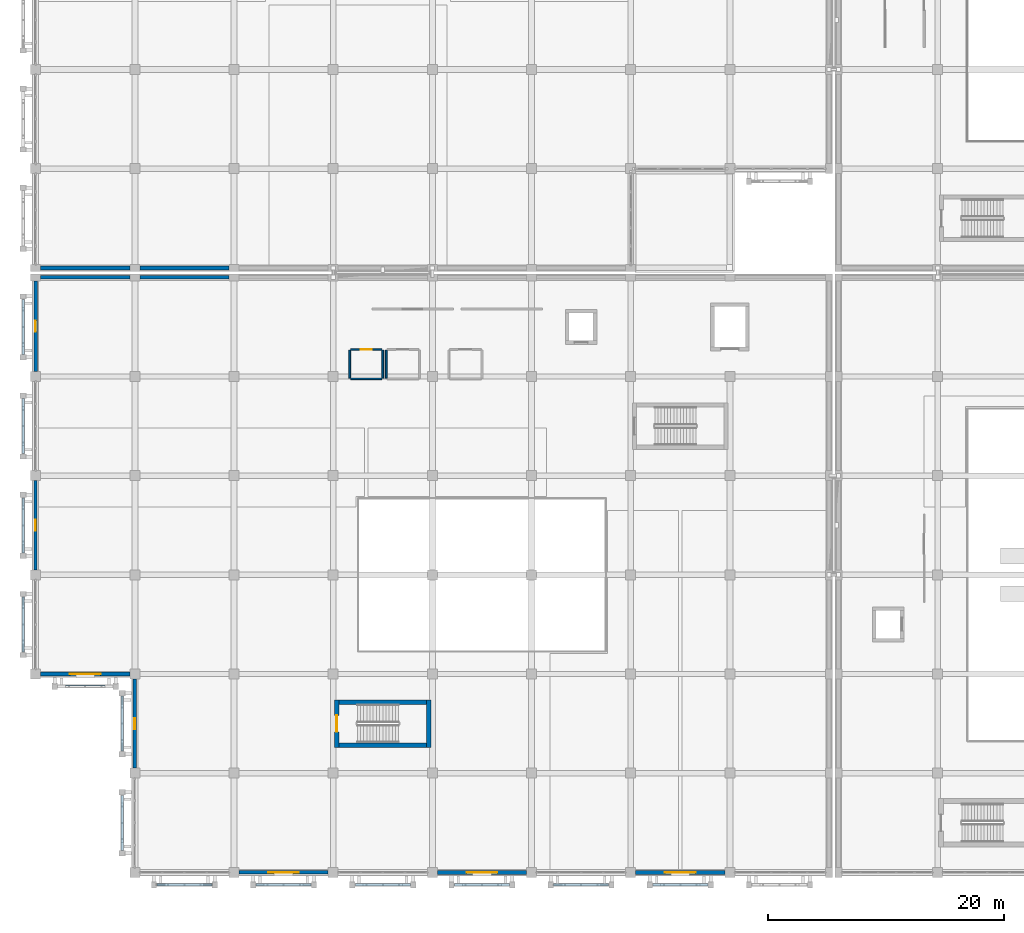
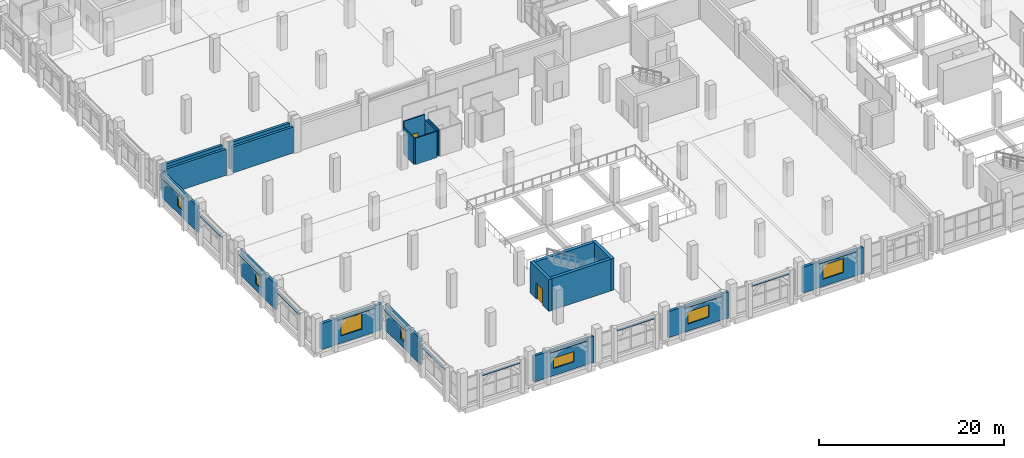
# One storey, part 112 of 137: 33 walls, 7 windows, 2 doors, 9 openings.
"""IFC4 building model written with IfcOpenShell, lengths in metres."""

from ifc_helpers import new_model, si_unit, direction, frame, frame_2d, origin, place, context, subcontext, project, spatial, rectangle, extrude, material, layer, layer_set, type_object, element, fill, save


model = new_model("IFC4")

# Units and contexts
model_context = context("Model", 3, precision=1e-05, world=origin(), true_north=direction((0.0, 1.0)))
body_context = subcontext(model_context, "Body", "Model", "MODEL_VIEW")
ifc_project = project(units=[si_unit("LENGTHUNIT", "METRE"), si_unit("AREAUNIT", "SQUARE_METRE"), si_unit("VOLUMEUNIT", "CUBIC_METRE"), si_unit("PLANEANGLEUNIT", "RADIAN"), si_unit("MASSUNIT", "GRAM", prefix="KILO")], contexts=[model_context])

# Site, building, storey
site_placement = place(None, origin())
site = spatial("IfcSite", under=ifc_project, at=site_placement, CompositionType="ELEMENT")
building_placement = place(site_placement, origin())
building = spatial("IfcBuilding", under=site, at=building_placement, Name="Xazarin Passage Department Store", CompositionType="ELEMENT")
storey_placement = place(building_placement, frame((0.0, 0.0, 5.39990234375)))
storey = spatial("IfcBuildingStorey", under=building, at=storey_placement, Name="L01", CompositionType="ELEMENT", Elevation=5.39990234375)

# Wall, opening, window
ifc_material_1 = material(Name="Precast concrete C40/50", Category="concrete")
ifc_layer_1 = layer(ifc_material_1, 0.260009765625)
ifc_layer_set_1 = layer_set([ifc_layer_1], Name="Precast concrete C40/50")
wall_type_1 = type_object("IfcWallType", Name="ARC-W-EXT260", PredefinedType="SOLIDWALL", material=ifc_layer_set_1)
wall_1_placement = place(storey_placement, frame((0.0, 25.625, 0.0), z_axis=(0.0, 0.0, 1.0), x_axis=(0.0, 1.0, 0.0)))
wall_1 = element("IfcWall", 1, at=wall_1_placement, inside=storey, type_object=wall_type_1, Name="L01 V3 Exterior Wall 217", PredefinedType="SOLIDWALL", context=body_context, shape_type="SweptSolid", body=[
    extrude(rectangle(XDim=7.550048828125, YDim=0.260009765625, at=frame_2d((3.77490234375, 0.0))), origin(), (0.0, 0.0, 1.0), 3.43017578125),
])
opening_1_placement = place(wall_1_placement, frame((3.300048828125, 0.0, 0.949951171875)))
opening_1 = element("IfcOpeningElement", 2, at=opening_1_placement, cuts=wall_1, Name="Opening W01", PredefinedType="OPENING", context=body_context, shape_type="SweptSolid", body=[
    extrude(rectangle(XDim=0.949951171875, YDim=1.35009765625, at=frame_2d((0.47509765625, 0.675048828125))), frame((0.0, 0.139892578125, 0.0), z_axis=(0.0, -1.0, 0.0), x_axis=(1.0, 0.0, 0.0)), (0.0, 0.0, 1.0), 0.280029296875),
])
ifc_material_2 = material(Name="Low-E laminated safety glass", Category="glass")
window_type_1 = type_object("IfcWindowType", Name="ARC-WIN-W01", PartitioningType="SINGLE_PANEL", PredefinedType="WINDOW", material=ifc_material_2)
window_1_placement = place(opening_1_placement, origin())
window_1 = element("IfcWindow", 3, at=window_1_placement, inside=storey, type_object=window_type_1, Name="L01 V3 Facade Window 0049", OverallHeight=1.35009765625, OverallWidth=0.949951171875, PartitioningType="SINGLE_PANEL", PredefinedType="WINDOW", context=body_context, shape_type="SweptSolid", body=[
    extrude(rectangle(XDim=0.949951171875, YDim=1.35009765625, at=frame_2d((0.47509765625, 0.675048828125))), frame((0.0, 0.030029296875, 0.0), z_axis=(0.0, -1.0, 0.0), x_axis=(1.0, 0.0, 0.0)), (0.0, 0.0, 1.0), 0.06005859375),
])
fill(opening_1, window_1)

ifc_layer_2 = layer(ifc_material_1, 0.280029296875)
ifc_layer_set_2 = layer_set([ifc_layer_2], Name="Precast concrete C40/50")
wall_type_2 = type_object("IfcWallType", Name="ARC-W-EXT280", PredefinedType="SOLIDWALL", material=ifc_layer_set_2)
wall_2_placement = place(storey_placement, frame((0.0, 42.425048828125, 0.0), z_axis=(0.0, 0.0, 1.0), x_axis=(0.0, 1.0, 0.0)))
wall_2 = element("IfcWall", 4, at=wall_2_placement, inside=storey, type_object=wall_type_2, Name="L01 V3 Exterior Wall 218", PredefinedType="SOLIDWALL", context=body_context, shape_type="SweptSolid", body=[
    extrude(rectangle(XDim=7.675048828125, YDim=0.280029296875, at=frame_2d((3.83740234375, 0.0))), origin(), (0.0, 0.0, 1.0), 3.43017578125),
])
opening_2_placement = place(wall_2_placement, frame((3.362548828125, 0.0, 0.949951171875)))
opening_2 = element("IfcOpeningElement", 5, at=opening_2_placement, cuts=wall_2, Name="Opening W02", PredefinedType="OPENING", context=body_context, shape_type="SweptSolid", body=[
    extrude(rectangle(XDim=0.949951171875, YDim=1.60009765625, at=frame_2d((0.47509765625, 0.800048828125))), frame((0.0, 0.14990234375, 0.0), z_axis=(0.0, -1.0, 0.0), x_axis=(1.0, 0.0, 0.0)), (0.0, 0.0, 1.0), 0.300048828125),
])
window_type_2 = type_object("IfcWindowType", Name="ARC-WIN-W02", PartitioningType="SINGLE_PANEL", PredefinedType="WINDOW", material=ifc_material_2)
window_2_placement = place(opening_2_placement, origin())
window_2 = element("IfcWindow", 6, at=window_2_placement, inside=storey, type_object=window_type_2, Name="L01 V3 Facade Window 0050", OverallHeight=1.60009765625, OverallWidth=0.949951171875, PartitioningType="SINGLE_PANEL", PredefinedType="WINDOW", context=body_context, shape_type="SweptSolid", body=[
    extrude(rectangle(XDim=0.949951171875, YDim=1.60009765625, at=frame_2d((0.47509765625, 0.800048828125))), frame((0.0, 0.030029296875, 0.0), z_axis=(0.0, -1.0, 0.0), x_axis=(1.0, 0.0, 0.0)), (0.0, 0.0, 1.0), 0.06005859375),
])
fill(opening_2, window_2)

ifc_layer_3 = layer(ifc_material_1, 0.300048828125)
ifc_layer_set_3 = layer_set([ifc_layer_3], Name="Precast concrete C40/50")
wall_type_3 = type_object("IfcWallType", Name="ARC-W-EXT300", PredefinedType="SOLIDWALL", material=ifc_layer_set_3)
wall_3_placement = place(storey_placement, frame((17.22509765625, 0.0, 0.0), z_axis=(0.0, 0.0, 1.0), x_axis=(1.0, 0.0, 0.0)))
wall_3 = element("IfcWall", 7, at=wall_3_placement, inside=storey, type_object=wall_type_3, Name="L01 V3 Exterior Wall 205", PredefinedType="SOLIDWALL", context=body_context, shape_type="SweptSolid", body=[
    extrude(rectangle(XDim=7.5498046875, YDim=0.300048828125, at=frame_2d((3.77490234375, 0.0))), origin(), (0.0, 0.0, 1.0), 3.43017578125),
])
opening_3_placement = place(wall_3_placement, frame((2.47509765625, 0.0, 0.949951171875)))
opening_3 = element("IfcOpeningElement", 8, at=opening_3_placement, cuts=wall_3, Name="Opening W45", PredefinedType="OPENING", context=body_context, shape_type="SweptSolid", body=[
    extrude(rectangle(XDim=2.60009765625, YDim=1.35009765625, at=frame_2d((1.300048828125, 0.675048828125))), frame((0.0, 0.159912109375, 0.0), z_axis=(0.0, -1.0, 0.0), x_axis=(1.0, 0.0, 0.0)), (0.0, 0.0, 1.0), 0.320068359375),
])
window_type_3 = type_object("IfcWindowType", Name="ARC-WIN-W45", PartitioningType="DOUBLE_PANEL_VERTICAL", PredefinedType="WINDOW", material=ifc_material_2)
window_3_placement = place(opening_3_placement, origin())
window_3 = element("IfcWindow", 9, at=window_3_placement, inside=storey, type_object=window_type_3, Name="L01 V3 Facade Window 0045", OverallHeight=1.35009765625, OverallWidth=2.60009765625, PartitioningType="DOUBLE_PANEL_VERTICAL", PredefinedType="WINDOW", context=body_context, shape_type="SweptSolid", body=[
    extrude(rectangle(XDim=2.60009765625, YDim=1.35009765625, at=frame_2d((1.300048828125, 0.675048828125))), frame((0.0, 0.030029296875, 0.0), z_axis=(0.0, -1.0, 0.0), x_axis=(1.0, 0.0, 0.0)), (0.0, 0.0, 1.0), 0.06005859375),
])
fill(opening_3, window_3)

wall_4_placement = place(storey_placement, frame((8.39990234375, 8.824951171875, 0.0), z_axis=(0.0, 0.0, 1.0), x_axis=(0.0, 1.0, 0.0)))
wall_4 = element("IfcWall", 10, at=wall_4_placement, inside=storey, type_object=wall_type_3, Name="L01 V3 Exterior Wall 219", PredefinedType="SOLIDWALL", context=body_context, shape_type="SweptSolid", body=[
    extrude(rectangle(XDim=7.550048828125, YDim=0.300048828125, at=frame_2d((3.77490234375, 0.0))), origin(), (0.0, 0.0, 1.0), 3.43017578125),
])
opening_4_placement = place(wall_4_placement, frame((3.300048828125, 0.0, 0.949951171875)))
opening_4 = element("IfcOpeningElement", 11, at=opening_4_placement, cuts=wall_4, Name="Opening W03", PredefinedType="OPENING", context=body_context, shape_type="SweptSolid", body=[
    extrude(rectangle(XDim=0.949951171875, YDim=1.85009765625, at=frame_2d((0.47509765625, 0.925048828125))), frame((0.0, 0.159912109375, 0.0), z_axis=(0.0, -1.0, 0.0), x_axis=(1.0, 0.0, 0.0)), (0.0, 0.0, 1.0), 0.320068359375),
])
window_type_4 = type_object("IfcWindowType", Name="ARC-WIN-W03", PartitioningType="SINGLE_PANEL", PredefinedType="WINDOW", material=ifc_material_2)
window_4_placement = place(opening_4_placement, origin())
window_4 = element("IfcWindow", 12, at=window_4_placement, inside=storey, type_object=window_type_4, Name="L01 V3 Facade Window 0051", OverallHeight=1.85009765625, OverallWidth=0.949951171875, PartitioningType="SINGLE_PANEL", PredefinedType="WINDOW", context=body_context, shape_type="SweptSolid", body=[
    extrude(rectangle(XDim=0.949951171875, YDim=1.85009765625, at=frame_2d((0.47509765625, 0.925048828125))), frame((0.0, 0.030029296875, 0.0), z_axis=(0.0, -1.0, 0.0), x_axis=(1.0, 0.0, 0.0)), (0.0, 0.0, 1.0), 0.06005859375),
])
fill(opening_4, window_4)

# Walls
ifc_material_3 = material(Name="Buff Baku clay brick", Category="masonry")
ifc_layer_4 = layer(ifc_material_3, 0.320068359375)
ifc_layer_set_4 = layer_set([ifc_layer_4], Name="Buff Baku clay brick")
wall_type_4 = type_object("IfcWallType", Name="ARC-W-EXT320", PredefinedType="SOLIDWALL", material=ifc_layer_set_4)
for number, where, z_axis, x_axis, name in (
    (13, (0.425048828125, 51.199951171875, 0.0), (0.0, 0.0, 1.0), (1.0, 0.0, 0.0), "L01 V1 Exterior Wall 024"),
    (14, (8.824951171875, 51.199951171875, 0.0), (0.0, 0.0, 1.0), (1.0, 0.0, 0.0), "L01 V1 Exterior Wall 025"),
):
    element("IfcWall", number, at=place(storey_placement, frame(where, z_axis=z_axis, x_axis=x_axis)), inside=storey, type_object=wall_type_4, Name=name, PredefinedType="SOLIDWALL", context=body_context, shape_type="SweptSolid", body=[
        extrude(rectangle(XDim=7.550048828125, YDim=0.320068359375, at=frame_2d((3.77490234375, 0.0))), origin(), (0.0, 0.0, 1.0), 3.4501953125),
    ])

# Wall, opening, window
wall_5_placement = place(storey_placement, frame((34.02490234375, 0.0, 0.0), z_axis=(0.0, 0.0, 1.0), x_axis=(1.0, 0.0, 0.0)))
wall_5 = element("IfcWall", 15, at=wall_5_placement, inside=storey, type_object=wall_type_4, Name="L01 V3 Exterior Wall 206", PredefinedType="SOLIDWALL", context=body_context, shape_type="SweptSolid", body=[
    extrude(rectangle(XDim=7.550048828125, YDim=0.320068359375, at=frame_2d((3.77490234375, 0.0))), origin(), (0.0, 0.0, 1.0), 3.43017578125),
])
opening_5_placement = place(wall_5_placement, frame((2.47509765625, 0.0, 0.949951171875)))
opening_5 = element("IfcOpeningElement", 16, at=opening_5_placement, cuts=wall_5, Name="Opening W46", PredefinedType="OPENING", context=body_context, shape_type="SweptSolid", body=[
    extrude(rectangle(XDim=2.60009765625, YDim=1.60009765625, at=frame_2d((1.300048828125, 0.800048828125))), frame((0.0, 0.169921875, 0.0), z_axis=(0.0, -1.0, 0.0), x_axis=(1.0, 0.0, 0.0)), (0.0, 0.0, 1.0), 0.340087890625),
])
window_type_5 = type_object("IfcWindowType", Name="ARC-WIN-W46", PartitioningType="DOUBLE_PANEL_VERTICAL", PredefinedType="WINDOW", material=ifc_material_2)
window_5_placement = place(opening_5_placement, origin())
window_5 = element("IfcWindow", 17, at=window_5_placement, inside=storey, type_object=window_type_5, Name="L01 V3 Facade Window 0046", OverallHeight=1.60009765625, OverallWidth=2.60009765625, PartitioningType="DOUBLE_PANEL_VERTICAL", PredefinedType="WINDOW", context=body_context, shape_type="SweptSolid", body=[
    extrude(rectangle(XDim=2.60009765625, YDim=1.60009765625, at=frame_2d((1.300048828125, 0.800048828125))), frame((0.0, 0.030029296875, 0.0), z_axis=(0.0, -1.0, 0.0), x_axis=(1.0, 0.0, 0.0)), (0.0, 0.0, 1.0), 0.06005859375),
])
fill(opening_5, window_5)

# Walls
for number, where, z_axis, x_axis, name in (
    (18, (0.425048828125, 50.39990234375, 0.0), (0.0, 0.0, 1.0), (1.0, 0.0, 0.0), "L01 V3 Exterior Wall 209"),
    (19, (8.824951171875, 50.39990234375, 0.0), (0.0, 0.0, 1.0), (1.0, 0.0, 0.0), "L01 V3 Exterior Wall 210"),
):
    element("IfcWall", number, at=place(storey_placement, frame(where, z_axis=z_axis, x_axis=x_axis)), inside=storey, type_object=wall_type_4, Name=name, PredefinedType="SOLIDWALL", context=body_context, shape_type="SweptSolid", body=[
        extrude(rectangle(XDim=7.550048828125, YDim=0.320068359375, at=frame_2d((3.77490234375, 0.0))), origin(), (0.0, 0.0, 1.0), 3.43017578125),
    ])

# Wall, opening, window
ifc_material_4 = material(Name="Absheron limestone cladding", Category="masonry")
ifc_layer_5 = layer(ifc_material_4, 0.340087890625)
ifc_layer_set_5 = layer_set([ifc_layer_5], Name="Absheron limestone cladding")
wall_type_5 = type_object("IfcWallType", Name="ARC-W-EXT340", PredefinedType="SOLIDWALL", material=ifc_layer_set_5)
wall_6_placement = place(storey_placement, frame((50.824951171875, 0.0, 0.0), z_axis=(0.0, 0.0, 1.0), x_axis=(1.0, 0.0, 0.0)))
wall_6 = element("IfcWall", 20, at=wall_6_placement, inside=storey, type_object=wall_type_5, Name="L01 V3 Exterior Wall 207", PredefinedType="SOLIDWALL", context=body_context, shape_type="SweptSolid", body=[
    extrude(rectangle(XDim=7.550048828125, YDim=0.340087890625, at=frame_2d((3.77490234375, 0.0))), origin(), (0.0, 0.0, 1.0), 3.43017578125),
])
opening_6_placement = place(wall_6_placement, frame((2.47509765625, 0.0, 0.949951171875)))
opening_6 = element("IfcOpeningElement", 21, at=opening_6_placement, cuts=wall_6, Name="Opening W47", PredefinedType="OPENING", context=body_context, shape_type="SweptSolid", body=[
    extrude(rectangle(XDim=2.60009765625, YDim=1.85009765625, at=frame_2d((1.300048828125, 0.925048828125))), frame((0.0, 0.179931640625, 0.0), z_axis=(0.0, -1.0, 0.0), x_axis=(1.0, 0.0, 0.0)), (0.0, 0.0, 1.0), 0.360107421875),
])
window_type_6 = type_object("IfcWindowType", Name="ARC-WIN-W47", PartitioningType="DOUBLE_PANEL_VERTICAL", PredefinedType="WINDOW", material=ifc_material_2)
window_6_placement = place(opening_6_placement, origin())
window_6 = element("IfcWindow", 22, at=window_6_placement, inside=storey, type_object=window_type_6, Name="L01 V3 Facade Window 0047", OverallHeight=1.85009765625, OverallWidth=2.60009765625, PartitioningType="DOUBLE_PANEL_VERTICAL", PredefinedType="WINDOW", context=body_context, shape_type="SweptSolid", body=[
    extrude(rectangle(XDim=2.60009765625, YDim=1.85009765625, at=frame_2d((1.300048828125, 0.925048828125))), frame((0.0, 0.030029296875, 0.0), z_axis=(0.0, -1.0, 0.0), x_axis=(1.0, 0.0, 0.0)), (0.0, 0.0, 1.0), 0.06005859375),
])
fill(opening_6, window_6)

ifc_layer_6 = layer(ifc_material_4, 0.360107421875)
ifc_layer_set_6 = layer_set([ifc_layer_6], Name="Absheron limestone cladding")
wall_type_6 = type_object("IfcWallType", Name="ARC-W-EXT360", PredefinedType="SOLIDWALL", material=ifc_layer_set_6)
wall_7_placement = place(storey_placement, frame((0.425048828125, 16.800048828125, 0.0), z_axis=(0.0, 0.0, 1.0), x_axis=(1.0, 0.0, 0.0)))
wall_7 = element("IfcWall", 23, at=wall_7_placement, inside=storey, type_object=wall_type_6, Name="L01 V3 Exterior Wall 208", PredefinedType="SOLIDWALL", context=body_context, shape_type="SweptSolid", body=[
    extrude(rectangle(XDim=7.550048828125, YDim=0.360107421875, at=frame_2d((3.77490234375, 0.0))), origin(), (0.0, 0.0, 1.0), 3.43017578125),
])
opening_7_placement = place(wall_7_placement, frame((2.47509765625, 0.0, 0.949951171875)))
opening_7 = element("IfcOpeningElement", 24, at=opening_7_placement, cuts=wall_7, Name="Opening W48", PredefinedType="OPENING", context=body_context, shape_type="SweptSolid", body=[
    extrude(rectangle(XDim=2.60009765625, YDim=2.10009765625, at=frame_2d((1.300048828125, 1.050048828125))), frame((0.0, 0.18994140625, 0.0), z_axis=(0.0, -1.0, 0.0), x_axis=(1.0, 0.0, 0.0)), (0.0, 0.0, 1.0), 0.380126953125),
])
window_type_7 = type_object("IfcWindowType", Name="ARC-WIN-W48", PartitioningType="DOUBLE_PANEL_VERTICAL", PredefinedType="WINDOW", material=ifc_material_2)
window_7_placement = place(opening_7_placement, origin())
window_7 = element("IfcWindow", 25, at=window_7_placement, inside=storey, type_object=window_type_7, Name="L01 V3 Facade Window 0048", OverallHeight=2.10009765625, OverallWidth=2.60009765625, PartitioningType="DOUBLE_PANEL_VERTICAL", PredefinedType="WINDOW", context=body_context, shape_type="SweptSolid", body=[
    extrude(rectangle(XDim=2.60009765625, YDim=2.10009765625, at=frame_2d((1.300048828125, 1.050048828125))), frame((0.0, 0.030029296875, 0.0), z_axis=(0.0, -1.0, 0.0), x_axis=(1.0, 0.0, 0.0)), (0.0, 0.0, 1.0), 0.06005859375),
])
fill(opening_7, window_7)

# Walls
ifc_layer_7 = layer(ifc_material_1, 0.2099609375)
ifc_layer_set_7 = layer_set([ifc_layer_7], Name="Precast concrete C40/50")
wall_type_7 = type_object("IfcWallType", Name="ARC-W-PAR210", PredefinedType="PARAPET", material=ifc_layer_set_7)
for number, where, z_axis, x_axis, name in (
    (26, (1.8701171875, 15.75, 3.880126953125), (0.0, 0.0, 1.0), (1.0, 0.0, 0.0), "L01 V3 Pierced-Arch Spandrel Lintel 0109"),
    (27, (10.27001953125, -1.050048828125, 3.880126953125), (0.0, 0.0, 1.0), (1.0, 0.0, 0.0), "L01 V3 Pierced-Arch Spandrel Lintel 0111"),
):
    element("IfcWall", number, at=place(storey_placement, frame(where, z_axis=z_axis, x_axis=x_axis)), inside=storey, type_object=wall_type_7, Name=name, PredefinedType="PARAPET", context=body_context, shape_type="SweptSolid", body=[
        extrude(rectangle(XDim=4.659912109375, YDim=0.2099609375, at=frame_2d((2.330078125, 0.0))), origin(), (0.0, 0.0, 1.0), 0.119873046875),
    ])
wall_8_placement = place(storey_placement, frame((18.669921875, -1.050048828125, 3.880126953125), z_axis=(0.0, 0.0, 1.0), x_axis=(1.0, 0.0, 0.0)))
element("IfcWall", 28, at=wall_8_placement, inside=storey, type_object=wall_type_7, Name="L01 V3 Pierced-Arch Spandrel Lintel 0114", PredefinedType="PARAPET", context=body_context, shape_type="SweptSolid", body=[
    extrude(rectangle(XDim=4.66015625, YDim=0.2099609375, at=frame_2d((2.330078125, 0.0))), origin(), (0.0, 0.0, 1.0), 0.119873046875),
])
for number, where, z_axis, x_axis, name in (
    (29, (27.070068359375, -1.050048828125, 3.880126953125), (0.0, 0.0, 1.0), (1.0, 0.0, 0.0), "L01 V3 Pierced-Arch Spandrel Lintel 0117"),
    (30, (35.469970703125, -1.050048828125, 3.880126953125), (0.0, 0.0, 1.0), (1.0, 0.0, 0.0), "L01 V3 Pierced-Arch Spandrel Lintel 0120"),
    (31, (43.8701171875, -1.050048828125, 3.880126953125), (0.0, 0.0, 1.0), (1.0, 0.0, 0.0), "L01 V3 Pierced-Arch Spandrel Lintel 0123"),
    (32, (52.27001953125, -1.050048828125, 3.880126953125), (0.0, 0.0, 1.0), (1.0, 0.0, 0.0), "L01 V3 Pierced-Arch Spandrel Lintel 0126"),
):
    element("IfcWall", number, at=place(storey_placement, frame(where, z_axis=z_axis, x_axis=x_axis)), inside=storey, type_object=wall_type_7, Name=name, PredefinedType="PARAPET", context=body_context, shape_type="SweptSolid", body=[
        extrude(rectangle(XDim=4.659912109375, YDim=0.2099609375, at=frame_2d((2.330078125, 0.0))), origin(), (0.0, 0.0, 1.0), 0.119873046875),
    ])
wall_9_placement = place(storey_placement, frame((-1.050048828125, 18.669921875, 3.880126953125), z_axis=(0.0, 0.0, 1.0), x_axis=(0.0, 1.0, 0.0)))
element("IfcWall", 33, at=wall_9_placement, inside=storey, type_object=wall_type_7, Name="L01 V3 Pierced-Arch Spandrel Lintel 0132", PredefinedType="PARAPET", context=body_context, shape_type="SweptSolid", body=[
    extrude(rectangle(XDim=4.66015625, YDim=0.2099609375, at=frame_2d((2.330078125, 0.0))), origin(), (0.0, 0.0, 1.0), 0.119873046875),
])
for number, where, z_axis, x_axis, name in (
    (34, (-1.050048828125, 27.070068359375, 3.880126953125), (0.0, 0.0, 1.0), (0.0, 1.0, 0.0), "L01 V3 Pierced-Arch Spandrel Lintel 0134"),
    (35, (-1.050048828125, 35.469970703125, 3.880126953125), (0.0, 0.0, 1.0), (0.0, 1.0, 0.0), "L01 V3 Pierced-Arch Spandrel Lintel 0136"),
    (36, (-1.050048828125, 43.8701171875, 3.880126953125), (0.0, 0.0, 1.0), (0.0, 1.0, 0.0), "L01 V3 Pierced-Arch Spandrel Lintel 0138"),
    (37, (7.35009765625, 1.8701171875, 3.880126953125), (0.0, 0.0, 1.0), (0.0, 1.0, 0.0), "L01 V3 Pierced-Arch Spandrel Lintel 0140"),
    (38, (7.35009765625, 10.27001953125, 3.880126953125), (0.0, 0.0, 1.0), (0.0, 1.0, 0.0), "L01 V3 Pierced-Arch Spandrel Lintel 0143"),
):
    element("IfcWall", number, at=place(storey_placement, frame(where, z_axis=z_axis, x_axis=x_axis)), inside=storey, type_object=wall_type_7, Name=name, PredefinedType="PARAPET", context=body_context, shape_type="SweptSolid", body=[
        extrude(rectangle(XDim=4.659912109375, YDim=0.2099609375, at=frame_2d((2.330078125, 0.0))), origin(), (0.0, 0.0, 1.0), 0.119873046875),
    ])

# Wall, opening, door
ifc_material_5 = material(Name="Moisture-resistant masonry partition", Category="masonry")
ifc_layer_8 = layer(ifc_material_5, 0.139892578125)
ifc_layer_set_8 = layer_set([ifc_layer_8], Name="Moisture-resistant masonry partition")
wall_type_8 = type_object("IfcWallType", Name="ARC-W-PRT140", PredefinedType="PARTITIONING", material=ifc_layer_set_8)
wall_10_placement = place(storey_placement, frame((26.669921875, 44.300048828125, 0.0), z_axis=(0.0, 0.0, 1.0), x_axis=(1.0, 0.0, 0.0)))
wall_10 = element("IfcWall", 39, at=wall_10_placement, inside=storey, type_object=wall_type_8, Name="L01 Public Male WC 0113", PredefinedType="PARTITIONING", context=body_context, shape_type="SweptSolid", body=[
    extrude(rectangle(XDim=2.66015625, YDim=0.139892578125, at=frame_2d((1.330078125, 0.0))), origin(), (0.0, 0.0, 1.0), 4.2001953125),
])
opening_8_placement = place(wall_10_placement, frame((0.8701171875, 0.0, 0.0)))
opening_8 = element("IfcOpeningElement", 40, at=opening_8_placement, cuts=wall_10, Name="Opening ID1", PredefinedType="OPENING", context=body_context, shape_type="SweptSolid", body=[
    extrude(rectangle(XDim=0.919921875, YDim=2.1201171875, at=frame_2d((0.4599609375, 1.06005859375))), frame((0.0, 0.079833984375, 0.0), z_axis=(0.0, -1.0, 0.0), x_axis=(1.0, 0.0, 0.0)), (0.0, 0.0, 1.0), 0.159912109375),
])
ifc_material_6 = material(Name="Timber acoustic leaf", Category="wood")
door_type_1 = type_object("IfcDoorType", Name="ARC-DR-WC092", OperationType="NOTDEFINED", PredefinedType="DOOR", material=ifc_material_6)
door_1_placement = place(opening_8_placement, origin())
door_1 = element("IfcDoor", 41, at=door_1_placement, inside=storey, type_object=door_type_1, Name="DR-INT-L01-0113", OperationType="SINGLE_SWING_RIGHT", OverallHeight=2.1201171875, OverallWidth=0.919921875, PredefinedType="DOOR", context=body_context, shape_type="SweptSolid", body=[
    extrude(rectangle(XDim=0.919921875, YDim=2.1201171875, at=frame_2d((0.4599609375, 1.06005859375))), frame((0.0, 0.02490234375, 0.0), z_axis=(0.0, -1.0, 0.0), x_axis=(1.0, 0.0, 0.0)), (0.0, 0.0, 1.0), 0.050048828125),
])
fill(opening_8, door_1)

# Walls
wall_11_placement = place(storey_placement, frame((26.669921875, 41.800048828125, 0.0), z_axis=(0.0, 0.0, 1.0), x_axis=(1.0, 0.0, 0.0)))
element("IfcWall", 42, at=wall_11_placement, inside=storey, type_object=wall_type_8, Name="L01 Public Male WC Back Wall 0114", PredefinedType="PARTITIONING", context=body_context, shape_type="SweptSolid", body=[
    extrude(rectangle(XDim=2.66015625, YDim=0.139892578125, at=frame_2d((1.330078125, 0.0))), origin(), (0.0, 0.0, 1.0), 3.47998046875),
])
for number, where, z_axis, x_axis, name in (
    (43, (26.60009765625, 41.8701171875, 0.0), (0.0, 0.0, 1.0), (0.0, 1.0, 0.0), "L01 Public Male WC Side Wall 0115"),
    (44, (29.39990234375, 41.8701171875, 0.0), (0.0, 0.0, 1.0), (0.0, 1.0, 0.0), "L01 Public Male WC Side Wall 0116"),
    (45, (29.699951171875, 41.8701171875, 0.0), (0.0, 0.0, 1.0), (0.0, 1.0, 0.0), "L01 Public Female WC Side Wall 0119"),
):
    element("IfcWall", number, at=place(storey_placement, frame(where, z_axis=z_axis, x_axis=x_axis)), inside=storey, type_object=wall_type_8, Name=name, PredefinedType="PARTITIONING", context=body_context, shape_type="SweptSolid", body=[
        extrude(rectangle(XDim=2.35986328125, YDim=0.139892578125, at=frame_2d((1.179931640625, 0.0))), origin(), (0.0, 0.0, 1.0), 3.47998046875),
    ])

# Wall, opening, door
ifc_material_7 = material(Name="Concrete C40/50", Category="concrete")
ifc_layer_9 = layer(ifc_material_7, 0.389892578125)
ifc_layer_set_9 = layer_set([ifc_layer_9], Name="Concrete C40/50")
wall_type_9 = type_object("IfcWallType", Name="STR-W-SHR390", PredefinedType="SHEAR", material=ifc_layer_set_9)
wall_12_placement = place(storey_placement, frame((25.5048828125, 14.610107421875, 0.0), z_axis=(0.0, 0.0, 1.0), x_axis=(0.0, -1.0, 0.0)))
wall_12 = element("IfcWall", 46, at=wall_12_placement, inside=storey, type_object=wall_type_9, Name="L01 Core K8 West Shear Wall", PredefinedType="SHEAR", context=body_context, shape_type="SweptSolid", body=[
    extrude(rectangle(XDim=4.02001953125, YDim=0.389892578125, at=frame_2d((2.010009765625, 0.0))), origin(), (0.0, 0.0, 1.0), 4.18017578125),
])
opening_9_placement = place(wall_12_placement, frame((1.31005859375, 0.0, 0.0)))
opening_9 = element("IfcOpeningElement", 47, at=opening_9_placement, cuts=wall_12, Name="Opening FD2", PredefinedType="OPENING", context=body_context, shape_type="SweptSolid", body=[
    extrude(rectangle(XDim=1.39990234375, YDim=2.14990234375, at=frame_2d((0.699951171875, 1.074951171875))), frame((0.0, 0.204833984375, 0.0), z_axis=(0.0, -1.0, 0.0), x_axis=(1.0, 0.0, 0.0)), (0.0, 0.0, 1.0), 0.409912109375),
])
ifc_material_8 = material(Name="Steel S355", Category="steel")
door_type_2 = type_object("IfcDoorType", Name="ARC-DR-STR140", OperationType="NOTDEFINED", PredefinedType="DOOR", material=ifc_material_8)
door_2_placement = place(opening_9_placement, origin())
door_2 = element("IfcDoor", 48, at=door_2_placement, inside=storey, type_object=door_type_2, Name="DR-STR-K8-L01", OperationType="SINGLE_SWING_LEFT", OverallHeight=2.14990234375, OverallWidth=1.39990234375, PredefinedType="DOOR", context=body_context, shape_type="SweptSolid", body=[
    extrude(rectangle(XDim=1.39990234375, YDim=2.14990234375, at=frame_2d((0.699951171875, 1.074951171875))), frame((0.0, 0.02490234375, 0.0), z_axis=(0.0, -1.0, 0.0), x_axis=(1.0, 0.0, 0.0)), (0.0, 0.0, 1.0), 0.050048828125),
])
fill(opening_9, door_2)

# Walls
wall_13_placement = place(storey_placement, frame((33.294921875, 10.590087890625, 0.0), z_axis=(0.0, 0.0, 1.0), x_axis=(0.0, 1.0, 0.0)))
element("IfcWall", 49, at=wall_13_placement, inside=storey, type_object=wall_type_9, Name="L01 Core K8 East Shear Wall", PredefinedType="SHEAR", context=body_context, shape_type="SweptSolid", body=[
    extrude(rectangle(XDim=4.02001953125, YDim=0.389892578125, at=frame_2d((2.010009765625, 0.0))), origin(), (0.0, 0.0, 1.0), 4.18017578125),
])
for number, where, z_axis, x_axis, name in (
    (50, (25.699951171875, 10.784912109375, 0.0), (0.0, 0.0, 1.0), (1.0, 0.0, 0.0), "L01 Core K8 South Shear Wall"),
    (51, (25.699951171875, 14.4150390625, 0.0), (0.0, 0.0, 1.0), (1.0, 0.0, 0.0), "L01 Core K8 North Shear Wall"),
):
    element("IfcWall", number, at=place(storey_placement, frame(where, z_axis=z_axis, x_axis=x_axis)), inside=storey, type_object=wall_type_9, Name=name, PredefinedType="SHEAR", context=body_context, shape_type="SweptSolid", body=[
        extrude(rectangle(XDim=7.400146484375, YDim=0.389892578125, at=frame_2d((3.7001953125, 0.0))), origin(), (0.0, 0.0, 1.0), 4.18017578125),
    ])

save(model, "model.ifc")
